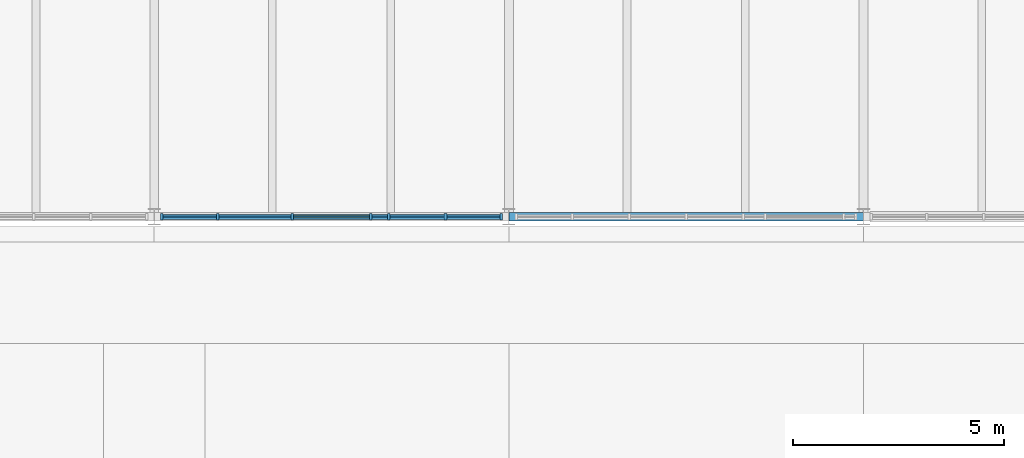
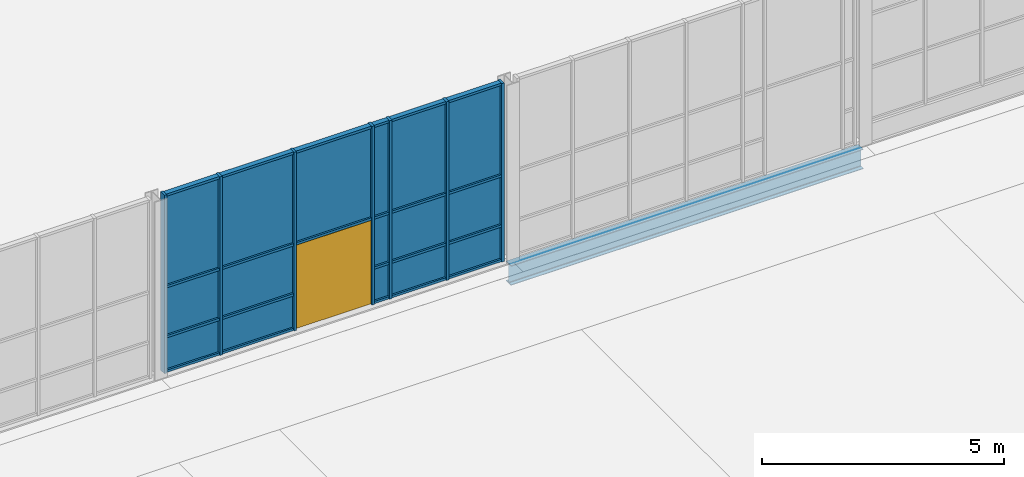
# One storey, part 42 of 116: 29 members, 16 plates, 1 beam, 1 door, 1 opening, 1 element without a shape of its own.
"""IFC4 building model written with IfcOpenShell, lengths in metres."""

import ifcopenshell
import ifcopenshell.guid

model = None  # the IFC model being written
_history = None  # IfcOwnerHistory: only IFC2X3 demands one
_inside = {}  # id of a spatial element -> (the spatial element, [elements in it])
_under = {}  # id of a project, library or spatial element -> (it, [spatial elements below it])
_declared = {}  # id of a project -> (the project, [libraries it declares])
_typed = {}  # id of a type object -> (the type object, [elements of that type])
_made_of = {}  # id of a material, layer set ... -> (it, [elements and type objects made of it])


def new_model(schema):
    """Start an empty IFC model of exactly this schema.

    Asked for "IFC4X3", IfcOpenShell would pick the latest addendum, in which some entities
    have other attributes; the version numbers below select the first issue.
    IFC2X3 requires an IfcOwnerHistory on every rooted entity: one is made here for all.
    """
    global model, _history
    if schema == "IFC4X3":
        model = ifcopenshell.file(schema_version=(4, 3, 0, 0))
    else:
        model = ifcopenshell.file(schema=schema)
    _inside.clear()
    _under.clear()
    _declared.clear()
    _typed.clear()
    _made_of.clear()
    _history = None
    if model.schema == "IFC2X3":
        org = make("IfcOrganization", Name="unknown")
        user = make(
            "IfcPersonAndOrganization",
            ThePerson=make("IfcPerson", FamilyName="unknown"),
            TheOrganization=org,
        )
        app = make(
            "IfcApplication",
            ApplicationDeveloper=org,
            Version="unknown",
            ApplicationFullName="unknown",
            ApplicationIdentifier="unknown",
        )
        _history = make(
            "IfcOwnerHistory",
            OwningUser=user,
            OwningApplication=app,
            ChangeAction="ADDED",
            CreationDate=0,
        )
    return model


def make(cls, **values):
    """One entity of the class cls with the attributes given. An attribute that is None is left unset."""
    return model.create_entity(
        cls, **{name: value for name, value in values.items() if value is not None}
    )


def rooted(cls, **values):
    """An entity with a GlobalId (a new one), such as an element, a storey or a relation."""
    return make(cls, GlobalId=ifcopenshell.guid.new(), OwnerHistory=_history, **values)


def si_unit(unit_type, name, prefix=None):
    """IfcSIUnit, for example si_unit("LENGTHUNIT", "METRE", prefix="MILLI")."""
    return make("IfcSIUnit", UnitType=unit_type, Prefix=prefix, Name=name)


def assignment(units):
    """IfcUnitAssignment: the units of a project."""
    return None if units is None else make("IfcUnitAssignment", Units=units)


def point(xyz):
    """IfcCartesianPoint."""
    return None if xyz is None else make("IfcCartesianPoint", Coordinates=xyz)


def direction(xyz):
    """IfcDirection."""
    return None if xyz is None else make("IfcDirection", DirectionRatios=xyz)


def frame(location, z_axis=None, x_axis=None):
    """IfcAxis2Placement3D, a coordinate frame: its origin and axes. An axis left out is left unset."""
    return make(
        "IfcAxis2Placement3D",
        Location=point(location),
        Axis=direction(z_axis),
        RefDirection=direction(x_axis),
    )


def frame_2d(location, x_axis=None):
    """IfcAxis2Placement2D, a coordinate frame in the plane: its origin and x axis."""
    return make(
        "IfcAxis2Placement2D", Location=point(location), RefDirection=direction(x_axis)
    )


def origin():
    """The frame at (0, 0, 0) with its axes left unset."""
    return frame((0.0, 0.0, 0.0))


def origin_2d():
    """The frame at (0, 0) in the plane with its x axis left unset."""
    return frame_2d((0.0, 0.0))


def place(relative_to, where):
    """IfcLocalPlacement: puts the frame where relative to a parent placement (None: the world)."""
    return make(
        "IfcLocalPlacement", PlacementRelTo=relative_to, RelativePlacement=where
    )


def context(
    kind, dimensions, precision=None, world=None, true_north=None, identifier=None
):
    """IfcGeometricRepresentationContext, for example the 3D "Model" context."""
    return make(
        "IfcGeometricRepresentationContext",
        ContextIdentifier=identifier,
        ContextType=kind,
        CoordinateSpaceDimension=dimensions,
        Precision=precision,
        WorldCoordinateSystem=world,
        TrueNorth=true_north,
    )


def subcontext(parent, identifier, kind, view, scale=None):
    """IfcGeometricRepresentationSubContext, for example "Body" below "Model"."""
    return make(
        "IfcGeometricRepresentationSubContext",
        ContextIdentifier=identifier,
        ContextType=kind,
        ParentContext=parent,
        TargetScale=scale,
        TargetView=view,
    )


def project(units=None, contexts=None):
    """IfcProject with its units and contexts."""
    return rooted(
        "IfcProject",
        Name="project",
        RepresentationContexts=contexts,
        UnitsInContext=assignment(units),
    )


def spatial(cls, under=None, at=None, **own):
    """A site, building, storey or space (cls), placed at a placement, below another one or the project."""
    s = rooted(cls, ObjectPlacement=at, **own)
    if under is not None:
        _under.setdefault(under.id(), (under, []))[1].append(s)
    return s


def profile(cls, at=None, kind="AREA", **sizes):
    """A parametric profile (cls). Its sizes go by their IFC names, for example OverallWidth=200.0."""
    return make(cls, ProfileType=kind, Position=at, **sizes)


def rectangle(**sizes):
    """IfcRectangleProfileDef."""
    return profile("IfcRectangleProfileDef", **sizes)


def i_section(**sizes):
    """IfcIShapeProfileDef."""
    return profile("IfcIShapeProfileDef", **sizes)


def extrude(swept, where, along, depth):
    """IfcExtrudedAreaSolid: the profile swept, set in the frame where, extruded along a direction by depth."""
    return make(
        "IfcExtrudedAreaSolid",
        SweptArea=swept,
        Position=where,
        ExtrudedDirection=direction(along),
        Depth=depth,
    )


def shape(context_of_items, identifier, shape_type, items):
    """IfcShapeRepresentation: the items that make up one representation, for example the "Body"."""
    return make(
        "IfcShapeRepresentation",
        ContextOfItems=context_of_items,
        RepresentationIdentifier=identifier,
        RepresentationType=shape_type,
        Items=items,
    )


def material(Name=None, Category=None):
    """IfcMaterial."""
    return make("IfcMaterial", Name=Name, Category=Category)


def layer(
    of_material, thickness, ventilated=None, Name=None, Category=None, Priority=None
):
    """IfcMaterialLayer: one layer of a wall or slab, of a material (None: an air gap)."""
    return make(
        "IfcMaterialLayer",
        Material=of_material,
        LayerThickness=thickness,
        IsVentilated=ventilated,
        Name=Name,
        Category=Category,
        Priority=Priority,
    )


def layer_set(layers, Name=None):
    """IfcMaterialLayerSet."""
    return make("IfcMaterialLayerSet", MaterialLayers=layers, LayerSetName=Name)


def material_profile(
    of_material, cross_section, Name=None, Category=None, Priority=None
):
    """IfcMaterialProfile: a cross section and its material."""
    return make(
        "IfcMaterialProfile",
        Name=Name,
        Material=of_material,
        Profile=cross_section,
        Priority=Priority,
        Category=Category,
    )


def profile_set(profiles, Name=None, composite=None):
    """IfcMaterialProfileSet."""
    return make(
        "IfcMaterialProfileSet",
        Name=Name,
        MaterialProfiles=profiles,
        CompositeProfile=composite,
    )


def made_of(thing, what):
    """Note that an element or type object is made of a material, layer set ...; save() writes the relation."""
    if what is not None:
        _made_of.setdefault(what.id(), (what, []))[1].append(thing)
    return thing


def type_object(cls, material=None, **own):
    """A type object (cls), such as IfcWallType, which elements share."""
    return made_of(rooted(cls, **own), material)


def element(
    cls,
    number,
    at=None,
    inside=None,
    cuts=None,
    type_object=None,
    material=None,
    context=None,
    identifier="Body",
    shape_type=None,
    held_by="IfcProductDefinitionShape",
    body=None,
    shapes=None,
    **own,
):
    """One element of the class cls, such as IfcWall. Its Tag is "e" and its number.

    at: its placement. inside: the storey or other place that contains it. cuts: it is an
    opening in that element (IfcRelVoidsElement). A single representation is given by context,
    identifier, shape_type and body (its items); several are given by shapes. held_by: the class
    of the entity that holds the representations. save() writes the other relations.
    """
    e = rooted(cls, Tag="e%d" % number, ObjectPlacement=at, **own)
    if body is not None:
        shapes = [shape(context, identifier, shape_type, body)]
    if shapes is not None:
        e.Representation = make(held_by, Representations=shapes)
    if inside is not None:
        _inside.setdefault(inside.id(), (inside, []))[1].append(e)
    if cuts is not None:
        rooted(
            "IfcRelVoidsElement", RelatingBuildingElement=cuts, RelatedOpeningElement=e
        )
    if type_object is not None:
        _typed.setdefault(type_object.id(), (type_object, []))[1].append(e)
    return made_of(e, material)


def fill(opening, filler):
    """IfcRelFillsElement: the door or window that sits in an opening."""
    return rooted(
        "IfcRelFillsElement",
        RelatingOpeningElement=opening,
        RelatedBuildingElement=filler,
    )


def aggregate(whole, parts):
    """IfcRelAggregates: a whole, such as a stair, and the parts it consists of."""
    return rooted("IfcRelAggregates", RelatingObject=whole, RelatedObjects=parts)


def save(model, path):
    """Write the relations noted so far, then the file.

    IfcRelAggregates (storeys below a building ...), IfcRelContainedInSpatialStructure (elements
    in a storey), IfcRelDefinesByType, IfcRelAssociatesMaterial and IfcRelDeclares: one each for
    every whole, place, type object, material and project.
    """
    for whole, parts in _under.values():
        aggregate(whole, parts)
    for where, things in _inside.values():
        rooted(
            "IfcRelContainedInSpatialStructure",
            RelatedElements=things,
            RelatingStructure=where,
        )
    for kind, things in _typed.values():
        rooted("IfcRelDefinesByType", RelatedObjects=things, RelatingType=kind)
    for what, things in _made_of.values():
        rooted("IfcRelAssociatesMaterial", RelatedObjects=things, RelatingMaterial=what)
    for by, libraries in _declared.values():
        rooted("IfcRelDeclares", RelatingContext=by, RelatedDefinitions=libraries)
    model.write(path)


model = new_model("IFC4")

# Units and contexts
model_context = context("Model", 3, precision=1e-05, world=origin(), true_north=direction((0.0, 1.0)))
body_context = subcontext(model_context, "Body", "Model", "MODEL_VIEW")
ifc_project = project(units=[si_unit("LENGTHUNIT", "METRE"), si_unit("AREAUNIT", "SQUARE_METRE"), si_unit("VOLUMEUNIT", "CUBIC_METRE"), si_unit("PLANEANGLEUNIT", "RADIAN"), si_unit("MASSUNIT", "GRAM", prefix="KILO")], contexts=[model_context])

# Site, building, storey
site_placement = place(None, origin())
site = spatial("IfcSite", under=ifc_project, at=site_placement, CompositionType="ELEMENT")
building_placement = place(site_placement, origin())
building = spatial("IfcBuilding", under=site, at=building_placement, Name="Ardhachandra Cancer Care Centre", CompositionType="ELEMENT")
storey_placement = place(building_placement, origin())
storey = spatial("IfcBuildingStorey", under=building, at=storey_placement, Name="L00", CompositionType="ELEMENT", Elevation=0.0)

# Beam
ifc_material_1 = material(Name="Steel E350 (IS 2062)", Category="steel")
ifc_material_profile_1 = material_profile(ifc_material_1, i_section(OverallWidth=0.199951171875, OverallDepth=0.5, WebThickness=0.01025390625, FlangeThickness=0.01611328125, FilletRadius=0.02099609375, at=origin_2d()), Name="NPB 500x200x90.68")
ifc_profile_set_1 = profile_set([ifc_material_profile_1], Name="Steel E350 (IS 2062)")
beam_type = type_object("IfcBeamType", Name="Beam NPB 500x200x90.68", PredefinedType="BEAM", material=ifc_profile_set_1)
beam_placement = place(storey_placement, frame((86.39990234375, 54.60009765625, -0.39990234375), z_axis=(1.0, 0.0, 0.0), x_axis=(0.0, 1.0, 0.0)))
element("IfcBeam", 1, at=beam_placement, inside=storey, type_object=beam_type, Name="Edge girder F10-F11", PredefinedType="BEAM", context=body_context, shape_type="SweptSolid", body=[
    extrude(i_section(OverallWidth=0.199951171875, OverallDepth=0.5, WebThickness=0.01025390625, FlangeThickness=0.01611328125, FilletRadius=0.02099609375, at=origin_2d()), origin(), (0.0, 0.0, 1.0), 8.400146484375),
])

# Curtain wall, opening, members, plates, door
ifc_material_2 = material(Name="Aluminium extrusion", Category="aluminium")
ifc_layer_1 = layer(ifc_material_2, 0.14990234375)
ifc_layer_set_1 = layer_set([ifc_layer_1], Name="Aluminium extrusion")
curtain_wall_type = type_object("IfcCurtainWallType", Name="Curtain wall run", PredefinedType="NOTDEFINED", material=ifc_layer_set_1)
curtain_wall_placement = place(storey_placement, frame((78.14990234375, 54.60009765625, 0.0), z_axis=(0.0, 0.0, 1.0), x_axis=(1.0, 0.0, 0.0)))
curtain_wall = element("IfcCurtainWall", 2, at=curtain_wall_placement, inside=storey, type_object=curtain_wall_type, Name="Curtain wall L00 s/0078000_0054600", PredefinedType="NOTDEFINED")
opening_placement = place(curtain_wall_placement, frame((3.14990234375, 0.0, 0.0)))
opening = element("IfcOpeningElement", 3, at=opening_placement, cuts=curtain_wall, Name="Opening L00-X12", PredefinedType="OPENING", context=body_context, shape_type="SweptSolid", body=[
    extrude(rectangle(XDim=1.800048828125, YDim=2.10009765625, at=frame_2d((0.89990234375, 1.050048828125))), frame((0.0, 0.0849609375, 0.0), z_axis=(0.0, -1.0, 0.0), x_axis=(1.0, 0.0, 0.0)), (0.0, 0.0, 1.0), 0.169921875),
])
ifc_material_3 = material(Name="Aluminium extrusion", Category="aluminium")
ifc_material_profile_2 = material_profile(ifc_material_3, rectangle(XDim=0.159912109375, YDim=0.06005859375, at=origin_2d()), Name="Curtain wall mullion 60 x 160")
ifc_profile_set_2 = profile_set([ifc_material_profile_2], Name="Aluminium extrusion")
member_type_1 = type_object("IfcMemberType", Name="Curtain wall mullion 60 x 160", PredefinedType="MULLION", material=ifc_profile_set_2)
member_1_placement = place(storey_placement, frame((78.179931640625, 54.60009765625, 0.0), z_axis=(0.0, 0.0, 1.0), x_axis=(0.0, 1.0, 0.0)))
member_1 = element("IfcMember", 4, at=member_1_placement, type_object=member_type_1, Name="CW mullion 1", PredefinedType="MULLION", context=body_context, shape_type="SweptSolid", body=[
    extrude(rectangle(XDim=0.159912109375, YDim=0.06005859375, at=origin_2d()), origin(), (0.0, 0.0, 1.0), 4.5),
])
member_2_placement = place(storey_placement, frame((79.5, 54.60009765625, 0.0), z_axis=(0.0, 0.0, 1.0), x_axis=(0.0, 1.0, 0.0)))
member_2 = element("IfcMember", 5, at=member_2_placement, type_object=member_type_1, Name="CW mullion 2", PredefinedType="MULLION", context=body_context, shape_type="SweptSolid", body=[
    extrude(rectangle(XDim=0.159912109375, YDim=0.06005859375, at=origin_2d()), origin(), (0.0, 0.0, 1.0), 4.5),
])
member_3_placement = place(storey_placement, frame((81.27001953125, 54.60009765625, 0.0), z_axis=(0.0, 0.0, 1.0), x_axis=(0.0, 1.0, 0.0)))
member_3 = element("IfcMember", 6, at=member_3_placement, type_object=member_type_1, Name="CW mullion 3", PredefinedType="MULLION", context=body_context, shape_type="SweptSolid", body=[
    extrude(rectangle(XDim=0.159912109375, YDim=0.06005859375, at=origin_2d()), origin(), (0.0, 0.0, 1.0), 4.5),
])
member_4_placement = place(storey_placement, frame((83.1298828125, 54.60009765625, 0.0), z_axis=(0.0, 0.0, 1.0), x_axis=(0.0, 1.0, 0.0)))
member_4 = element("IfcMember", 7, at=member_4_placement, type_object=member_type_1, Name="CW mullion 4", PredefinedType="MULLION", context=body_context, shape_type="SweptSolid", body=[
    extrude(rectangle(XDim=0.159912109375, YDim=0.06005859375, at=origin_2d()), origin(), (0.0, 0.0, 1.0), 4.5),
])
member_5_placement = place(storey_placement, frame((83.550048828125, 54.60009765625, 0.0), z_axis=(0.0, 0.0, 1.0), x_axis=(0.0, 1.0, 0.0)))
member_5 = element("IfcMember", 8, at=member_5_placement, type_object=member_type_1, Name="CW mullion 5", PredefinedType="MULLION", context=body_context, shape_type="SweptSolid", body=[
    extrude(rectangle(XDim=0.159912109375, YDim=0.06005859375, at=origin_2d()), origin(), (0.0, 0.0, 1.0), 4.5),
])
member_6_placement = place(storey_placement, frame((84.89990234375, 54.60009765625, 0.0), z_axis=(0.0, 0.0, 1.0), x_axis=(0.0, 1.0, 0.0)))
member_6 = element("IfcMember", 9, at=member_6_placement, type_object=member_type_1, Name="CW mullion 6", PredefinedType="MULLION", context=body_context, shape_type="SweptSolid", body=[
    extrude(rectangle(XDim=0.159912109375, YDim=0.06005859375, at=origin_2d()), origin(), (0.0, 0.0, 1.0), 4.5),
])
member_7_placement = place(storey_placement, frame((86.219970703125, 54.60009765625, 0.0), z_axis=(0.0, 0.0, 1.0), x_axis=(0.0, 1.0, 0.0)))
member_7 = element("IfcMember", 10, at=member_7_placement, type_object=member_type_1, Name="CW mullion 7", PredefinedType="MULLION", context=body_context, shape_type="SweptSolid", body=[
    extrude(rectangle(XDim=0.159912109375, YDim=0.06005859375, at=origin_2d()), origin(), (0.0, 0.0, 1.0), 4.5),
])
ifc_material_4 = material(Name="Aluminium extrusion", Category="aluminium")
ifc_material_profile_3 = material_profile(ifc_material_4, rectangle(XDim=0.1201171875, YDim=0.06005859375, at=origin_2d()), Name="Curtain wall transom 60 x 120")
ifc_profile_set_3 = profile_set([ifc_material_profile_3], Name="Aluminium extrusion")
member_type_2 = type_object("IfcMemberType", Name="Curtain wall transom 60 x 120", PredefinedType="USERDEFINED", material=ifc_profile_set_3)
member_8_placement = place(storey_placement, frame((78.2099609375, 54.60009765625, 0.030029296875), z_axis=(1.0, 0.0, 0.0), x_axis=(0.0, 1.0, 0.0)))
member_8 = element("IfcMember", 11, at=member_8_placement, type_object=member_type_2, Name="CW transom 1.1", ObjectType="TRANSOM", PredefinedType="USERDEFINED", context=body_context, shape_type="SweptSolid", body=[
    extrude(rectangle(XDim=0.1201171875, YDim=0.06005859375, at=origin_2d()), origin(), (0.0, 0.0, 1.0), 1.260009765625),
])
member_9_placement = place(storey_placement, frame((78.2099609375, 54.60009765625, 0.89990234375), z_axis=(1.0, 0.0, 0.0), x_axis=(0.0, 1.0, 0.0)))
member_9 = element("IfcMember", 12, at=member_9_placement, type_object=member_type_2, Name="CW transom 1.2", ObjectType="TRANSOM", PredefinedType="USERDEFINED", context=body_context, shape_type="SweptSolid", body=[
    extrude(rectangle(XDim=0.1201171875, YDim=0.06005859375, at=origin_2d()), origin(), (0.0, 0.0, 1.0), 1.260009765625),
])
member_10_placement = place(storey_placement, frame((78.2099609375, 54.60009765625, 2.159912109375), z_axis=(1.0, 0.0, 0.0), x_axis=(0.0, 1.0, 0.0)))
member_10 = element("IfcMember", 13, at=member_10_placement, type_object=member_type_2, Name="CW transom 1.3", ObjectType="TRANSOM", PredefinedType="USERDEFINED", context=body_context, shape_type="SweptSolid", body=[
    extrude(rectangle(XDim=0.1201171875, YDim=0.06005859375, at=origin_2d()), origin(), (0.0, 0.0, 1.0), 1.260009765625),
])
member_11_placement = place(storey_placement, frame((78.2099609375, 54.60009765625, 4.469970703125), z_axis=(1.0, 0.0, 0.0), x_axis=(0.0, 1.0, 0.0)))
member_11 = element("IfcMember", 14, at=member_11_placement, type_object=member_type_2, Name="CW transom 1.4", ObjectType="TRANSOM", PredefinedType="USERDEFINED", context=body_context, shape_type="SweptSolid", body=[
    extrude(rectangle(XDim=0.1201171875, YDim=0.06005859375, at=origin_2d()), origin(), (0.0, 0.0, 1.0), 1.260009765625),
])
member_12_placement = place(storey_placement, frame((79.530029296875, 54.60009765625, 0.030029296875), z_axis=(1.0, 0.0, 0.0), x_axis=(0.0, 1.0, 0.0)))
member_12 = element("IfcMember", 15, at=member_12_placement, type_object=member_type_2, Name="CW transom 2.1", ObjectType="TRANSOM", PredefinedType="USERDEFINED", context=body_context, shape_type="SweptSolid", body=[
    extrude(rectangle(XDim=0.1201171875, YDim=0.06005859375, at=origin_2d()), origin(), (0.0, 0.0, 1.0), 1.7099609375),
])
member_13_placement = place(storey_placement, frame((79.530029296875, 54.60009765625, 0.89990234375), z_axis=(1.0, 0.0, 0.0), x_axis=(0.0, 1.0, 0.0)))
member_13 = element("IfcMember", 16, at=member_13_placement, type_object=member_type_2, Name="CW transom 2.2", ObjectType="TRANSOM", PredefinedType="USERDEFINED", context=body_context, shape_type="SweptSolid", body=[
    extrude(rectangle(XDim=0.1201171875, YDim=0.06005859375, at=origin_2d()), origin(), (0.0, 0.0, 1.0), 1.7099609375),
])
member_14_placement = place(storey_placement, frame((79.530029296875, 54.60009765625, 2.159912109375), z_axis=(1.0, 0.0, 0.0), x_axis=(0.0, 1.0, 0.0)))
member_14 = element("IfcMember", 17, at=member_14_placement, type_object=member_type_2, Name="CW transom 2.3", ObjectType="TRANSOM", PredefinedType="USERDEFINED", context=body_context, shape_type="SweptSolid", body=[
    extrude(rectangle(XDim=0.1201171875, YDim=0.06005859375, at=origin_2d()), origin(), (0.0, 0.0, 1.0), 1.7099609375),
])
member_15_placement = place(storey_placement, frame((79.530029296875, 54.60009765625, 4.469970703125), z_axis=(1.0, 0.0, 0.0), x_axis=(0.0, 1.0, 0.0)))
member_15 = element("IfcMember", 18, at=member_15_placement, type_object=member_type_2, Name="CW transom 2.4", ObjectType="TRANSOM", PredefinedType="USERDEFINED", context=body_context, shape_type="SweptSolid", body=[
    extrude(rectangle(XDim=0.1201171875, YDim=0.06005859375, at=origin_2d()), origin(), (0.0, 0.0, 1.0), 1.7099609375),
])
member_16_placement = place(storey_placement, frame((81.300048828125, 54.60009765625, 2.159912109375), z_axis=(1.0, 0.0, 0.0), x_axis=(0.0, 1.0, 0.0)))
member_16 = element("IfcMember", 19, at=member_16_placement, type_object=member_type_2, Name="CW transom 3.1", ObjectType="TRANSOM", PredefinedType="USERDEFINED", context=body_context, shape_type="SweptSolid", body=[
    extrude(rectangle(XDim=0.1201171875, YDim=0.06005859375, at=origin_2d()), origin(), (0.0, 0.0, 1.0), 1.800048828125),
])
member_17_placement = place(storey_placement, frame((81.300048828125, 54.60009765625, 4.469970703125), z_axis=(1.0, 0.0, 0.0), x_axis=(0.0, 1.0, 0.0)))
member_17 = element("IfcMember", 20, at=member_17_placement, type_object=member_type_2, Name="CW transom 3.2", ObjectType="TRANSOM", PredefinedType="USERDEFINED", context=body_context, shape_type="SweptSolid", body=[
    extrude(rectangle(XDim=0.1201171875, YDim=0.06005859375, at=origin_2d()), origin(), (0.0, 0.0, 1.0), 1.800048828125),
])
member_18_placement = place(storey_placement, frame((83.159912109375, 54.60009765625, 0.030029296875), z_axis=(1.0, 0.0, 0.0), x_axis=(0.0, 1.0, 0.0)))
member_18 = element("IfcMember", 21, at=member_18_placement, type_object=member_type_2, Name="CW transom 4.1", ObjectType="TRANSOM", PredefinedType="USERDEFINED", context=body_context, shape_type="SweptSolid", body=[
    extrude(rectangle(XDim=0.1201171875, YDim=0.06005859375, at=origin_2d()), origin(), (0.0, 0.0, 1.0), 0.360107421875),
])
member_19_placement = place(storey_placement, frame((83.159912109375, 54.60009765625, 0.89990234375), z_axis=(1.0, 0.0, 0.0), x_axis=(0.0, 1.0, 0.0)))
member_19 = element("IfcMember", 22, at=member_19_placement, type_object=member_type_2, Name="CW transom 4.2", ObjectType="TRANSOM", PredefinedType="USERDEFINED", context=body_context, shape_type="SweptSolid", body=[
    extrude(rectangle(XDim=0.1201171875, YDim=0.06005859375, at=origin_2d()), origin(), (0.0, 0.0, 1.0), 0.360107421875),
])
member_20_placement = place(storey_placement, frame((83.159912109375, 54.60009765625, 2.159912109375), z_axis=(1.0, 0.0, 0.0), x_axis=(0.0, 1.0, 0.0)))
member_20 = element("IfcMember", 23, at=member_20_placement, type_object=member_type_2, Name="CW transom 4.3", ObjectType="TRANSOM", PredefinedType="USERDEFINED", context=body_context, shape_type="SweptSolid", body=[
    extrude(rectangle(XDim=0.1201171875, YDim=0.06005859375, at=origin_2d()), origin(), (0.0, 0.0, 1.0), 0.360107421875),
])
member_21_placement = place(storey_placement, frame((83.159912109375, 54.60009765625, 4.469970703125), z_axis=(1.0, 0.0, 0.0), x_axis=(0.0, 1.0, 0.0)))
member_21 = element("IfcMember", 24, at=member_21_placement, type_object=member_type_2, Name="CW transom 4.4", ObjectType="TRANSOM", PredefinedType="USERDEFINED", context=body_context, shape_type="SweptSolid", body=[
    extrude(rectangle(XDim=0.1201171875, YDim=0.06005859375, at=origin_2d()), origin(), (0.0, 0.0, 1.0), 0.360107421875),
])
member_22_placement = place(storey_placement, frame((83.580078125, 54.60009765625, 0.030029296875), z_axis=(1.0, 0.0, 0.0), x_axis=(0.0, 1.0, 0.0)))
member_22 = element("IfcMember", 25, at=member_22_placement, type_object=member_type_2, Name="CW transom 5.1", ObjectType="TRANSOM", PredefinedType="USERDEFINED", context=body_context, shape_type="SweptSolid", body=[
    extrude(rectangle(XDim=0.1201171875, YDim=0.06005859375, at=origin_2d()), origin(), (0.0, 0.0, 1.0), 1.2900390625),
])
member_23_placement = place(storey_placement, frame((83.580078125, 54.60009765625, 0.89990234375), z_axis=(1.0, 0.0, 0.0), x_axis=(0.0, 1.0, 0.0)))
member_23 = element("IfcMember", 26, at=member_23_placement, type_object=member_type_2, Name="CW transom 5.2", ObjectType="TRANSOM", PredefinedType="USERDEFINED", context=body_context, shape_type="SweptSolid", body=[
    extrude(rectangle(XDim=0.1201171875, YDim=0.06005859375, at=origin_2d()), origin(), (0.0, 0.0, 1.0), 1.2900390625),
])
member_24_placement = place(storey_placement, frame((83.580078125, 54.60009765625, 2.159912109375), z_axis=(1.0, 0.0, 0.0), x_axis=(0.0, 1.0, 0.0)))
member_24 = element("IfcMember", 27, at=member_24_placement, type_object=member_type_2, Name="CW transom 5.3", ObjectType="TRANSOM", PredefinedType="USERDEFINED", context=body_context, shape_type="SweptSolid", body=[
    extrude(rectangle(XDim=0.1201171875, YDim=0.06005859375, at=origin_2d()), origin(), (0.0, 0.0, 1.0), 1.2900390625),
])
member_25_placement = place(storey_placement, frame((83.580078125, 54.60009765625, 4.469970703125), z_axis=(1.0, 0.0, 0.0), x_axis=(0.0, 1.0, 0.0)))
member_25 = element("IfcMember", 28, at=member_25_placement, type_object=member_type_2, Name="CW transom 5.4", ObjectType="TRANSOM", PredefinedType="USERDEFINED", context=body_context, shape_type="SweptSolid", body=[
    extrude(rectangle(XDim=0.1201171875, YDim=0.06005859375, at=origin_2d()), origin(), (0.0, 0.0, 1.0), 1.2900390625),
])
member_26_placement = place(storey_placement, frame((84.929931640625, 54.60009765625, 0.030029296875), z_axis=(1.0, 0.0, 0.0), x_axis=(0.0, 1.0, 0.0)))
member_26 = element("IfcMember", 29, at=member_26_placement, type_object=member_type_2, Name="CW transom 6.1", ObjectType="TRANSOM", PredefinedType="USERDEFINED", context=body_context, shape_type="SweptSolid", body=[
    extrude(rectangle(XDim=0.1201171875, YDim=0.06005859375, at=origin_2d()), origin(), (0.0, 0.0, 1.0), 1.260009765625),
])
member_27_placement = place(storey_placement, frame((84.929931640625, 54.60009765625, 0.89990234375), z_axis=(1.0, 0.0, 0.0), x_axis=(0.0, 1.0, 0.0)))
member_27 = element("IfcMember", 30, at=member_27_placement, type_object=member_type_2, Name="CW transom 6.2", ObjectType="TRANSOM", PredefinedType="USERDEFINED", context=body_context, shape_type="SweptSolid", body=[
    extrude(rectangle(XDim=0.1201171875, YDim=0.06005859375, at=origin_2d()), origin(), (0.0, 0.0, 1.0), 1.260009765625),
])
member_28_placement = place(storey_placement, frame((84.929931640625, 54.60009765625, 2.159912109375), z_axis=(1.0, 0.0, 0.0), x_axis=(0.0, 1.0, 0.0)))
member_28 = element("IfcMember", 31, at=member_28_placement, type_object=member_type_2, Name="CW transom 6.3", ObjectType="TRANSOM", PredefinedType="USERDEFINED", context=body_context, shape_type="SweptSolid", body=[
    extrude(rectangle(XDim=0.1201171875, YDim=0.06005859375, at=origin_2d()), origin(), (0.0, 0.0, 1.0), 1.260009765625),
])
member_29_placement = place(storey_placement, frame((84.929931640625, 54.60009765625, 4.469970703125), z_axis=(1.0, 0.0, 0.0), x_axis=(0.0, 1.0, 0.0)))
member_29 = element("IfcMember", 32, at=member_29_placement, type_object=member_type_2, Name="CW transom 6.4", ObjectType="TRANSOM", PredefinedType="USERDEFINED", context=body_context, shape_type="SweptSolid", body=[
    extrude(rectangle(XDim=0.1201171875, YDim=0.06005859375, at=origin_2d()), origin(), (0.0, 0.0, 1.0), 1.260009765625),
])
ifc_material_5 = material(Name="Low-iron double-glazed unit")
ifc_layer_2 = layer(ifc_material_5, 0.028076171875)
ifc_layer_set_2 = layer_set([ifc_layer_2], Name="Low-iron double-glazed unit")
plate_type = type_object("IfcPlateType", Name="Curtain wall glazing 28", PredefinedType="CURTAIN_PANEL", material=ifc_layer_set_2)
plate_1_placement = place(storey_placement, frame((78.840087890625, 54.60009765625, 0.06005859375), z_axis=(0.0, 0.0, 1.0), x_axis=(1.0, 0.0, 0.0)))
plate_1 = element("IfcPlate", 33, at=plate_1_placement, type_object=plate_type, Name="CW panel 1.1", PredefinedType="CURTAIN_PANEL", context=body_context, shape_type="SweptSolid", body=[
    extrude(rectangle(XDim=1.260009765625, YDim=0.028076171875, at=origin_2d()), origin(), (0.0, 0.0, 1.0), 0.81005859375),
])
plate_2_placement = place(storey_placement, frame((78.840087890625, 54.60009765625, 0.93017578125), z_axis=(0.0, 0.0, 1.0), x_axis=(1.0, 0.0, 0.0)))
plate_2 = element("IfcPlate", 34, at=plate_2_placement, type_object=plate_type, Name="CW panel 1.2", PredefinedType="CURTAIN_PANEL", context=body_context, shape_type="SweptSolid", body=[
    extrude(rectangle(XDim=1.260009765625, YDim=0.028076171875, at=origin_2d()), origin(), (0.0, 0.0, 1.0), 1.199951171875),
])
plate_3_placement = place(storey_placement, frame((78.840087890625, 54.60009765625, 2.18994140625), z_axis=(0.0, 0.0, 1.0), x_axis=(1.0, 0.0, 0.0)))
plate_3 = element("IfcPlate", 35, at=plate_3_placement, type_object=plate_type, Name="CW panel 1.3", PredefinedType="CURTAIN_PANEL", context=body_context, shape_type="SweptSolid", body=[
    extrude(rectangle(XDim=1.260009765625, YDim=0.028076171875, at=origin_2d()), origin(), (0.0, 0.0, 1.0), 2.25),
])
plate_4_placement = place(storey_placement, frame((80.385009765625, 54.60009765625, 0.06005859375), z_axis=(0.0, 0.0, 1.0), x_axis=(1.0, 0.0, 0.0)))
plate_4 = element("IfcPlate", 36, at=plate_4_placement, type_object=plate_type, Name="CW panel 2.1", PredefinedType="CURTAIN_PANEL", context=body_context, shape_type="SweptSolid", body=[
    extrude(rectangle(XDim=1.7099609375, YDim=0.028076171875, at=origin_2d()), origin(), (0.0, 0.0, 1.0), 0.81005859375),
])
plate_5_placement = place(storey_placement, frame((80.385009765625, 54.60009765625, 0.93017578125), z_axis=(0.0, 0.0, 1.0), x_axis=(1.0, 0.0, 0.0)))
plate_5 = element("IfcPlate", 37, at=plate_5_placement, type_object=plate_type, Name="CW panel 2.2", PredefinedType="CURTAIN_PANEL", context=body_context, shape_type="SweptSolid", body=[
    extrude(rectangle(XDim=1.7099609375, YDim=0.028076171875, at=origin_2d()), origin(), (0.0, 0.0, 1.0), 1.199951171875),
])
plate_6_placement = place(storey_placement, frame((80.385009765625, 54.60009765625, 2.18994140625), z_axis=(0.0, 0.0, 1.0), x_axis=(1.0, 0.0, 0.0)))
plate_6 = element("IfcPlate", 38, at=plate_6_placement, type_object=plate_type, Name="CW panel 2.3", PredefinedType="CURTAIN_PANEL", context=body_context, shape_type="SweptSolid", body=[
    extrude(rectangle(XDim=1.7099609375, YDim=0.028076171875, at=origin_2d()), origin(), (0.0, 0.0, 1.0), 2.25),
])
plate_7_placement = place(storey_placement, frame((82.199951171875, 54.60009765625, 2.18994140625), z_axis=(0.0, 0.0, 1.0), x_axis=(1.0, 0.0, 0.0)))
plate_7 = element("IfcPlate", 39, at=plate_7_placement, type_object=plate_type, Name="CW panel 3.1", PredefinedType="CURTAIN_PANEL", context=body_context, shape_type="SweptSolid", body=[
    extrude(rectangle(XDim=1.800048828125, YDim=0.028076171875, at=origin_2d()), origin(), (0.0, 0.0, 1.0), 2.25),
])
plate_8_placement = place(storey_placement, frame((83.340087890625, 54.60009765625, 0.06005859375), z_axis=(0.0, 0.0, 1.0), x_axis=(1.0, 0.0, 0.0)))
plate_8 = element("IfcPlate", 40, at=plate_8_placement, type_object=plate_type, Name="CW panel 4.1", PredefinedType="CURTAIN_PANEL", context=body_context, shape_type="SweptSolid", body=[
    extrude(rectangle(XDim=0.360107421875, YDim=0.028076171875, at=origin_2d()), origin(), (0.0, 0.0, 1.0), 0.81005859375),
])
plate_9_placement = place(storey_placement, frame((83.340087890625, 54.60009765625, 0.93017578125), z_axis=(0.0, 0.0, 1.0), x_axis=(1.0, 0.0, 0.0)))
plate_9 = element("IfcPlate", 41, at=plate_9_placement, type_object=plate_type, Name="CW panel 4.2", PredefinedType="CURTAIN_PANEL", context=body_context, shape_type="SweptSolid", body=[
    extrude(rectangle(XDim=0.360107421875, YDim=0.028076171875, at=origin_2d()), origin(), (0.0, 0.0, 1.0), 1.199951171875),
])
plate_10_placement = place(storey_placement, frame((83.340087890625, 54.60009765625, 2.18994140625), z_axis=(0.0, 0.0, 1.0), x_axis=(1.0, 0.0, 0.0)))
plate_10 = element("IfcPlate", 42, at=plate_10_placement, type_object=plate_type, Name="CW panel 4.3", PredefinedType="CURTAIN_PANEL", context=body_context, shape_type="SweptSolid", body=[
    extrude(rectangle(XDim=0.360107421875, YDim=0.028076171875, at=origin_2d()), origin(), (0.0, 0.0, 1.0), 2.25),
])
plate_11_placement = place(storey_placement, frame((84.22509765625, 54.60009765625, 0.06005859375), z_axis=(0.0, 0.0, 1.0), x_axis=(1.0, 0.0, 0.0)))
plate_11 = element("IfcPlate", 43, at=plate_11_placement, type_object=plate_type, Name="CW panel 5.1", PredefinedType="CURTAIN_PANEL", context=body_context, shape_type="SweptSolid", body=[
    extrude(rectangle(XDim=1.2900390625, YDim=0.028076171875, at=origin_2d()), origin(), (0.0, 0.0, 1.0), 0.81005859375),
])
plate_12_placement = place(storey_placement, frame((84.22509765625, 54.60009765625, 0.93017578125), z_axis=(0.0, 0.0, 1.0), x_axis=(1.0, 0.0, 0.0)))
plate_12 = element("IfcPlate", 44, at=plate_12_placement, type_object=plate_type, Name="CW panel 5.2", PredefinedType="CURTAIN_PANEL", context=body_context, shape_type="SweptSolid", body=[
    extrude(rectangle(XDim=1.2900390625, YDim=0.028076171875, at=origin_2d()), origin(), (0.0, 0.0, 1.0), 1.199951171875),
])
plate_13_placement = place(storey_placement, frame((84.22509765625, 54.60009765625, 2.18994140625), z_axis=(0.0, 0.0, 1.0), x_axis=(1.0, 0.0, 0.0)))
plate_13 = element("IfcPlate", 45, at=plate_13_placement, type_object=plate_type, Name="CW panel 5.3", PredefinedType="CURTAIN_PANEL", context=body_context, shape_type="SweptSolid", body=[
    extrude(rectangle(XDim=1.2900390625, YDim=0.028076171875, at=origin_2d()), origin(), (0.0, 0.0, 1.0), 2.25),
])
plate_14_placement = place(storey_placement, frame((85.56005859375, 54.60009765625, 0.06005859375), z_axis=(0.0, 0.0, 1.0), x_axis=(1.0, 0.0, 0.0)))
plate_14 = element("IfcPlate", 46, at=plate_14_placement, type_object=plate_type, Name="CW panel 6.1", PredefinedType="CURTAIN_PANEL", context=body_context, shape_type="SweptSolid", body=[
    extrude(rectangle(XDim=1.260009765625, YDim=0.028076171875, at=origin_2d()), origin(), (0.0, 0.0, 1.0), 0.81005859375),
])
plate_15_placement = place(storey_placement, frame((85.56005859375, 54.60009765625, 0.93017578125), z_axis=(0.0, 0.0, 1.0), x_axis=(1.0, 0.0, 0.0)))
plate_15 = element("IfcPlate", 47, at=plate_15_placement, type_object=plate_type, Name="CW panel 6.2", PredefinedType="CURTAIN_PANEL", context=body_context, shape_type="SweptSolid", body=[
    extrude(rectangle(XDim=1.260009765625, YDim=0.028076171875, at=origin_2d()), origin(), (0.0, 0.0, 1.0), 1.199951171875),
])
plate_16_placement = place(storey_placement, frame((85.56005859375, 54.60009765625, 2.18994140625), z_axis=(0.0, 0.0, 1.0), x_axis=(1.0, 0.0, 0.0)))
plate_16 = element("IfcPlate", 48, at=plate_16_placement, type_object=plate_type, Name="CW panel 6.3", PredefinedType="CURTAIN_PANEL", context=body_context, shape_type="SweptSolid", body=[
    extrude(rectangle(XDim=1.260009765625, YDim=0.028076171875, at=origin_2d()), origin(), (0.0, 0.0, 1.0), 2.25),
])
aggregate(curtain_wall, [member_1, member_2, member_3, member_4, member_5, member_6, member_7, member_8, member_9, member_10, member_11, plate_1, plate_2, plate_3, member_12, member_13, member_14, member_15, plate_4, plate_5, plate_6, member_16, member_17, plate_7, member_18, member_19, member_20, member_21, plate_8, plate_9, plate_10, member_22, member_23, member_24, member_25, plate_11, plate_12, plate_13, member_26, member_27, member_28, member_29, plate_14, plate_15, plate_16])
ifc_material_6 = material(Name="Hollow steel door set with fire-rated infill", Category="steel")
door_type = type_object("IfcDoorType", Name="Exit door pair 1800 x 2100", OperationType="DOUBLE_DOOR_SINGLE_SWING", PredefinedType="DOOR", material=ifc_material_6)
door_placement = place(opening_placement, origin())
door = element("IfcDoor", 49, at=door_placement, inside=storey, type_object=door_type, Name="Hall Court Exit Door L00-X12", OperationType="SINGLE_SWING_LEFT", OverallHeight=2.10009765625, OverallWidth=1.800048828125, PredefinedType="DOOR", context=body_context, shape_type="SweptSolid", body=[
    extrude(rectangle(XDim=1.800048828125, YDim=2.10009765625, at=frame_2d((0.89990234375, 1.050048828125))), frame((0.0, 0.02490234375, 0.0), z_axis=(0.0, -1.0, 0.0), x_axis=(1.0, 0.0, 0.0)), (0.0, 0.0, 1.0), 0.050048828125),
])
fill(opening, door)

save(model, "model.ifc")
